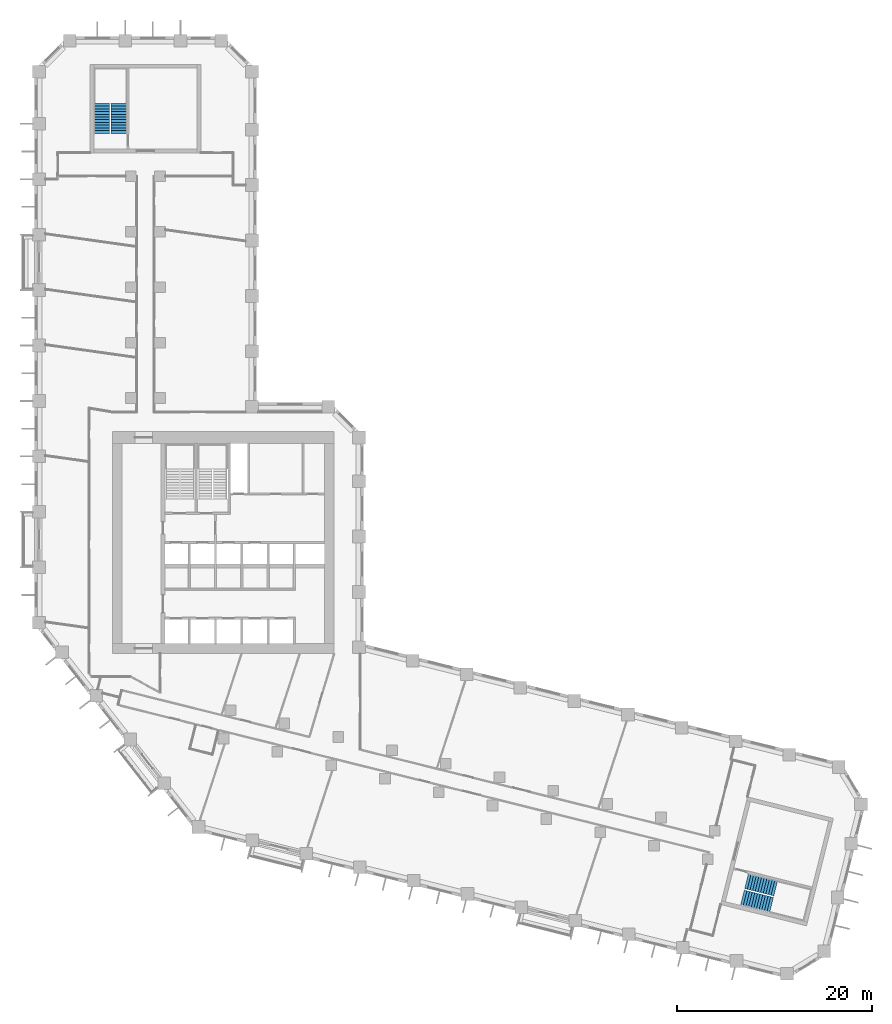
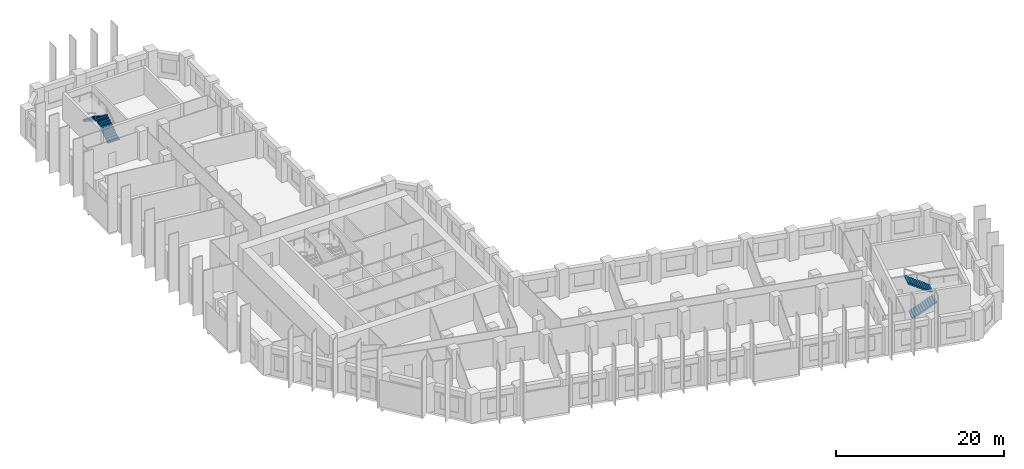
# One storey, part 10 of 11: 4 stair flights, 2 elements without a shape of their own.
"""IFC4 building model written with IfcOpenShell, lengths in metres."""

from ifc_helpers import new_model, si_unit, direction, frame, origin, place, context, subcontext, project, spatial, polyline, outline, extrude, material, type_object, element, aggregate, save


model = new_model("IFC4")

# Units and contexts
model_context = context("Model", 3, precision=1e-05, world=origin(), true_north=direction((0.0, 1.0)))
body_context = subcontext(model_context, "Body", "Model", "MODEL_VIEW")
ifc_project = project(units=[si_unit("LENGTHUNIT", "METRE"), si_unit("AREAUNIT", "SQUARE_METRE"), si_unit("VOLUMEUNIT", "CUBIC_METRE"), si_unit("PLANEANGLEUNIT", "RADIAN"), si_unit("MASSUNIT", "GRAM", prefix="KILO")], contexts=[model_context])

# Site, building, storey
site_placement = place(None, origin())
site = spatial("IfcSite", under=ifc_project, at=site_placement, CompositionType="ELEMENT")
building_placement = place(site_placement, origin())
building = spatial("IfcBuilding", under=site, at=building_placement, Name="Meshkara Civic Tower", CompositionType="ELEMENT")
storey_placement = place(building_placement, frame((0.0, 0.0, 147.60009765625)))
storey = spatial("IfcBuildingStorey", under=building, at=storey_placement, Name="L33", CompositionType="ELEMENT", Elevation=147.60009765625)

# Stair, stair flights
ifc_material_1 = material(Name="Precast concrete C40/50", Category="concrete")
stair_type = type_object("IfcStairType", Name="Exit stair half-turn 24 risers 1600 precast", PredefinedType="HALF_TURN_STAIR", material=ifc_material_1)
stair_1_placement = place(storey_placement, origin())
stair_1 = element("IfcStair", 1, at=stair_1_placement, inside=storey, type_object=stair_type, Name="L33 exit stair A from L20", PredefinedType="HALF_TURN_STAIR")
ifc_material_2 = material(Name="Precast concrete C40/50", Category="concrete")
stair_flight_type = type_object("IfcStairFlightType", Name="Exit stair flight 12 risers 1600 precast", PredefinedType="STRAIGHT", material=ifc_material_2)
stair_flight_1_placement = place(storey_placement, frame((8.675048828125, 67.570068359375, 0.0), z_axis=(0.0, 0.0, 1.0), x_axis=(0.0, 1.0, 0.0)))
stair_flight_1 = element("IfcStairFlight", 2, at=stair_flight_1_placement, type_object=stair_flight_type, Name="ESA2 flight 1", NumberOfRisers=12, NumberOfTreads=11, PredefinedType="STRAIGHT", RiserHeight=0.175, TreadLength=0.28, context=body_context, shape_type="SweptSolid", body=[
    extrude(outline(polyline([(0.0, 0.0), (0.0, 0.175048828125), (0.280029296875, 0.175048828125), (0.280029296875, 0.35009765625), (0.56005859375, 0.35009765625), (0.56005859375, 0.52490234375), (0.840087890625, 0.52490234375), (0.840087890625, 0.699951171875), (1.1201171875, 0.699951171875), (1.1201171875, 0.875), (1.39990234375, 0.875), (1.39990234375, 1.050048828125), (1.679931640625, 1.050048828125), (1.679931640625, 1.22509765625), (1.9599609375, 1.22509765625), (1.9599609375, 1.39990234375), (2.239990234375, 1.39990234375), (2.239990234375, 1.574951171875), (2.52001953125, 1.574951171875), (2.52001953125, 1.75), (2.800048828125, 1.75), (2.800048828125, 1.925048828125), (3.080078125, 1.925048828125), (3.080078125, 2.10009765625), (3.080078125, 1.748291015625), (0.28271484375, 0.0), (0.0, 0.0)])), frame((0.0, 0.800048828125, 0.0), z_axis=(0.0, -1.0, 0.0), x_axis=(1.0, 0.0, 0.0)), (0.0, 0.0, 1.0), 1.60009765625),
])
stair_flight_2_placement = place(storey_placement, frame((6.925048828125, 70.64990234375, 2.099853515625), z_axis=(0.0, 0.0, 1.0), x_axis=(0.0, -1.0, 0.0)))
stair_flight_2 = element("IfcStairFlight", 3, at=stair_flight_2_placement, type_object=stair_flight_type, Name="ESA2 flight 2", NumberOfRisers=12, NumberOfTreads=11, PredefinedType="STRAIGHT", RiserHeight=0.175, TreadLength=0.28, context=body_context, shape_type="SweptSolid", body=[
    extrude(outline(polyline([(0.0, 0.0), (0.0, 0.175048828125), (0.280029296875, 0.175048828125), (0.280029296875, 0.35009765625), (0.56005859375, 0.35009765625), (0.56005859375, 0.52490234375), (0.840087890625, 0.52490234375), (0.840087890625, 0.699951171875), (1.1201171875, 0.699951171875), (1.1201171875, 0.875), (1.39990234375, 0.875), (1.39990234375, 1.050048828125), (1.679931640625, 1.050048828125), (1.679931640625, 1.22509765625), (1.9599609375, 1.22509765625), (1.9599609375, 1.39990234375), (2.239990234375, 1.39990234375), (2.239990234375, 1.574951171875), (2.52001953125, 1.574951171875), (2.52001953125, 1.75), (2.800048828125, 1.75), (2.800048828125, 1.925048828125), (3.080078125, 1.925048828125), (3.080078125, 2.10009765625), (3.080078125, 1.748291015625), (0.28271484375, 0.0), (0.0, 0.0)])), frame((0.0, 0.800048828125, 0.0), z_axis=(0.0, -1.0, 0.0), x_axis=(1.0, 0.0, 0.0)), (0.0, 0.0, 1.0), 1.60009765625),
])
aggregate(stair_1, [stair_flight_1, stair_flight_2])

stair_2_placement = place(storey_placement, origin())
stair_2 = element("IfcStair", 4, at=stair_2_placement, inside=storey, type_object=stair_type, Name="L33 exit stair B from L20", PredefinedType="HALF_TURN_STAIR")
stair_flight_3_placement = place(storey_placement, frame((72.7685546875, -11.00634765625, 0.0), z_axis=(0.0, 0.0, 1.0), x_axis=(0.970260066579, -0.242064873955, 0.0)))
stair_flight_3 = element("IfcStairFlight", 5, at=stair_flight_3_placement, type_object=stair_flight_type, Name="ESB2 flight 1", NumberOfRisers=12, NumberOfTreads=11, PredefinedType="STRAIGHT", RiserHeight=0.175, TreadLength=0.28, context=body_context, shape_type="SweptSolid", body=[
    extrude(outline(polyline([(0.0, 0.0), (0.0, 0.175048828125), (0.280029296875, 0.175048828125), (0.280029296875, 0.35009765625), (0.56005859375, 0.35009765625), (0.56005859375, 0.52490234375), (0.840087890625, 0.52490234375), (0.840087890625, 0.699951171875), (1.1201171875, 0.699951171875), (1.1201171875, 0.875), (1.39990234375, 0.875), (1.39990234375, 1.050048828125), (1.679931640625, 1.050048828125), (1.679931640625, 1.22509765625), (1.9599609375, 1.22509765625), (1.9599609375, 1.39990234375), (2.239990234375, 1.39990234375), (2.239990234375, 1.574951171875), (2.52001953125, 1.574951171875), (2.52001953125, 1.75), (2.800048828125, 1.75), (2.800048828125, 1.925048828125), (3.080078125, 1.925048828125), (3.080078125, 2.10009765625), (3.080078125, 1.748291015625), (0.28271484375, 0.0), (0.0, 0.0)])), frame((0.0, 0.800048828125, 0.0), z_axis=(0.0, -1.0, 0.0), x_axis=(1.0, 0.0, 0.0)), (0.0, 0.0, 1.0), 1.60009765625),
])
stair_flight_4_placement = place(storey_placement, frame((76.1806640625, -10.053955078125, 2.099853515625), z_axis=(0.0, 0.0, 1.0), x_axis=(-0.970260066579, 0.242064873955, 0.0)))
stair_flight_4 = element("IfcStairFlight", 6, at=stair_flight_4_placement, type_object=stair_flight_type, Name="ESB2 flight 2", NumberOfRisers=12, NumberOfTreads=11, PredefinedType="STRAIGHT", RiserHeight=0.175, TreadLength=0.28, context=body_context, shape_type="SweptSolid", body=[
    extrude(outline(polyline([(0.0, 0.0), (0.0, 0.175048828125), (0.280029296875, 0.175048828125), (0.280029296875, 0.35009765625), (0.56005859375, 0.35009765625), (0.56005859375, 0.52490234375), (0.840087890625, 0.52490234375), (0.840087890625, 0.699951171875), (1.1201171875, 0.699951171875), (1.1201171875, 0.875), (1.39990234375, 0.875), (1.39990234375, 1.050048828125), (1.679931640625, 1.050048828125), (1.679931640625, 1.22509765625), (1.9599609375, 1.22509765625), (1.9599609375, 1.39990234375), (2.239990234375, 1.39990234375), (2.239990234375, 1.574951171875), (2.52001953125, 1.574951171875), (2.52001953125, 1.75), (2.800048828125, 1.75), (2.800048828125, 1.925048828125), (3.080078125, 1.925048828125), (3.080078125, 2.10009765625), (3.080078125, 1.748291015625), (0.28271484375, 0.0), (0.0, 0.0)])), frame((0.0, 0.800048828125, 0.0), z_axis=(0.0, -1.0, 0.0), x_axis=(1.0, 0.0, 0.0)), (0.0, 0.0, 1.0), 1.60009765625),
])
aggregate(stair_2, [stair_flight_3, stair_flight_4])

save(model, "model.ifc")
